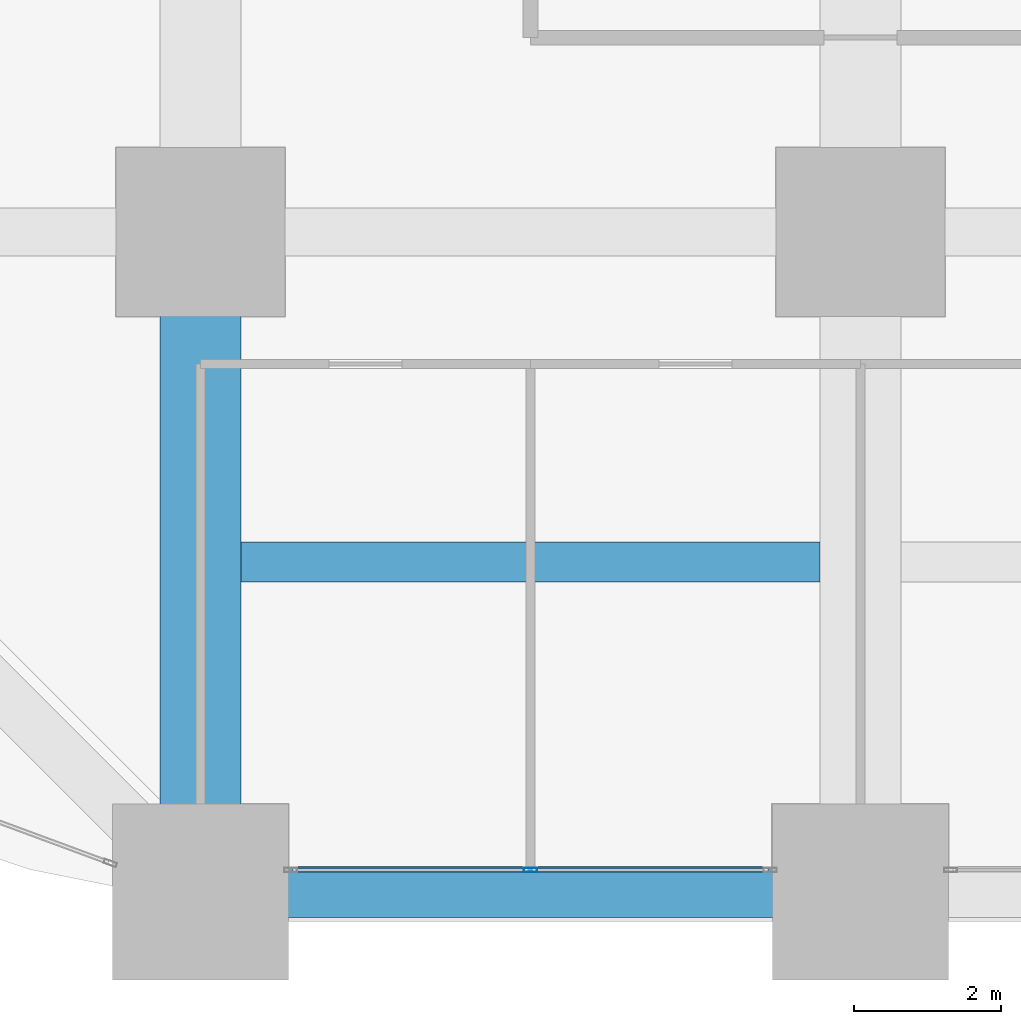
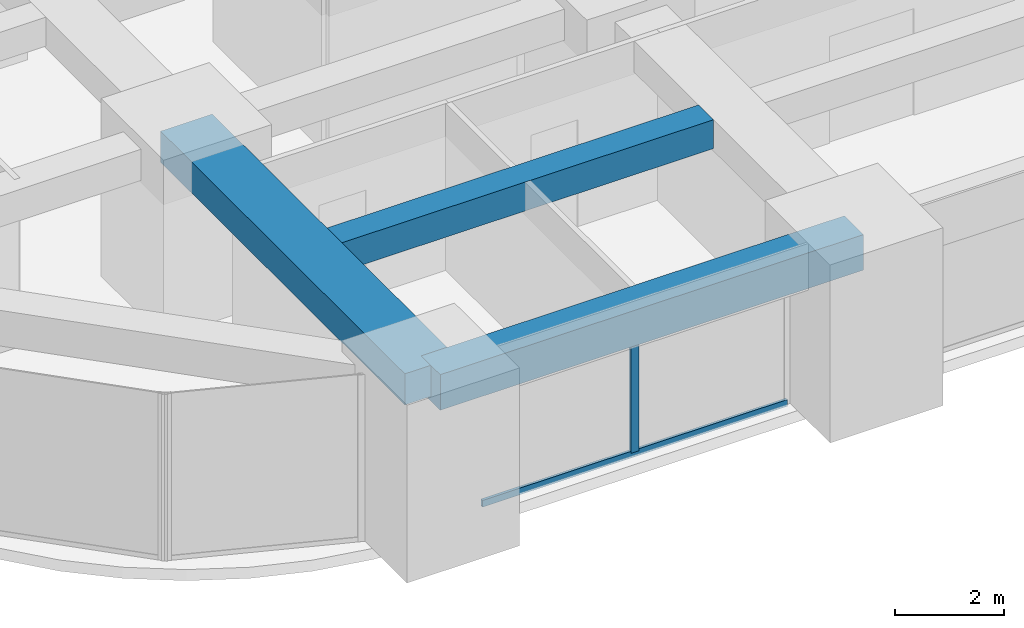
# One storey, part 3 of 44: 3 beams, 2 members, 1 element without a shape of its own.
"""IFC4 building model written with IfcOpenShell, lengths in metres."""

import ifcopenshell
import ifcopenshell.guid

model = None  # the IFC model being written
_history = None  # IfcOwnerHistory: only IFC2X3 demands one
_inside = {}  # id of a spatial element -> (the spatial element, [elements in it])
_under = {}  # id of a project, library or spatial element -> (it, [spatial elements below it])
_declared = {}  # id of a project -> (the project, [libraries it declares])
_typed = {}  # id of a type object -> (the type object, [elements of that type])
_made_of = {}  # id of a material, layer set ... -> (it, [elements and type objects made of it])


def new_model(schema):
    """Start an empty IFC model of exactly this schema.

    Asked for "IFC4X3", IfcOpenShell would pick the latest addendum, in which some entities
    have other attributes; the version numbers below select the first issue.
    IFC2X3 requires an IfcOwnerHistory on every rooted entity: one is made here for all.
    """
    global model, _history
    if schema == "IFC4X3":
        model = ifcopenshell.file(schema_version=(4, 3, 0, 0))
    else:
        model = ifcopenshell.file(schema=schema)
    _inside.clear()
    _under.clear()
    _declared.clear()
    _typed.clear()
    _made_of.clear()
    _history = None
    if model.schema == "IFC2X3":
        org = make("IfcOrganization", Name="unknown")
        user = make(
            "IfcPersonAndOrganization",
            ThePerson=make("IfcPerson", FamilyName="unknown"),
            TheOrganization=org,
        )
        app = make(
            "IfcApplication",
            ApplicationDeveloper=org,
            Version="unknown",
            ApplicationFullName="unknown",
            ApplicationIdentifier="unknown",
        )
        _history = make(
            "IfcOwnerHistory",
            OwningUser=user,
            OwningApplication=app,
            ChangeAction="ADDED",
            CreationDate=0,
        )
    return model


def make(cls, **values):
    """One entity of the class cls with the attributes given. An attribute that is None is left unset."""
    return model.create_entity(
        cls, **{name: value for name, value in values.items() if value is not None}
    )


def rooted(cls, **values):
    """An entity with a GlobalId (a new one), such as an element, a storey or a relation."""
    return make(cls, GlobalId=ifcopenshell.guid.new(), OwnerHistory=_history, **values)


def si_unit(unit_type, name, prefix=None):
    """IfcSIUnit, for example si_unit("LENGTHUNIT", "METRE", prefix="MILLI")."""
    return make("IfcSIUnit", UnitType=unit_type, Prefix=prefix, Name=name)


def assignment(units):
    """IfcUnitAssignment: the units of a project."""
    return None if units is None else make("IfcUnitAssignment", Units=units)


def point(xyz):
    """IfcCartesianPoint."""
    return None if xyz is None else make("IfcCartesianPoint", Coordinates=xyz)


def direction(xyz):
    """IfcDirection."""
    return None if xyz is None else make("IfcDirection", DirectionRatios=xyz)


def frame(location, z_axis=None, x_axis=None):
    """IfcAxis2Placement3D, a coordinate frame: its origin and axes. An axis left out is left unset."""
    return make(
        "IfcAxis2Placement3D",
        Location=point(location),
        Axis=direction(z_axis),
        RefDirection=direction(x_axis),
    )


def frame_2d(location, x_axis=None):
    """IfcAxis2Placement2D, a coordinate frame in the plane: its origin and x axis."""
    return make(
        "IfcAxis2Placement2D", Location=point(location), RefDirection=direction(x_axis)
    )


def origin():
    """The frame at (0, 0, 0) with its axes left unset."""
    return frame((0.0, 0.0, 0.0))


def origin_2d():
    """The frame at (0, 0) in the plane with its x axis left unset."""
    return frame_2d((0.0, 0.0))


def place(relative_to, where):
    """IfcLocalPlacement: puts the frame where relative to a parent placement (None: the world)."""
    return make(
        "IfcLocalPlacement", PlacementRelTo=relative_to, RelativePlacement=where
    )


def context(
    kind, dimensions, precision=None, world=None, true_north=None, identifier=None
):
    """IfcGeometricRepresentationContext, for example the 3D "Model" context."""
    return make(
        "IfcGeometricRepresentationContext",
        ContextIdentifier=identifier,
        ContextType=kind,
        CoordinateSpaceDimension=dimensions,
        Precision=precision,
        WorldCoordinateSystem=world,
        TrueNorth=true_north,
    )


def subcontext(parent, identifier, kind, view, scale=None):
    """IfcGeometricRepresentationSubContext, for example "Body" below "Model"."""
    return make(
        "IfcGeometricRepresentationSubContext",
        ContextIdentifier=identifier,
        ContextType=kind,
        ParentContext=parent,
        TargetScale=scale,
        TargetView=view,
    )


def project(units=None, contexts=None):
    """IfcProject with its units and contexts."""
    return rooted(
        "IfcProject",
        Name="project",
        RepresentationContexts=contexts,
        UnitsInContext=assignment(units),
    )


def spatial(cls, under=None, at=None, **own):
    """A site, building, storey or space (cls), placed at a placement, below another one or the project."""
    s = rooted(cls, ObjectPlacement=at, **own)
    if under is not None:
        _under.setdefault(under.id(), (under, []))[1].append(s)
    return s


def profile(cls, at=None, kind="AREA", **sizes):
    """A parametric profile (cls). Its sizes go by their IFC names, for example OverallWidth=200.0."""
    return make(cls, ProfileType=kind, Position=at, **sizes)


def rectangle(**sizes):
    """IfcRectangleProfileDef."""
    return profile("IfcRectangleProfileDef", **sizes)


def hollow_rectangle(**sizes):
    """IfcRectangleHollowProfileDef."""
    return profile("IfcRectangleHollowProfileDef", **sizes)


def extrude(swept, where, along, depth):
    """IfcExtrudedAreaSolid: the profile swept, set in the frame where, extruded along a direction by depth."""
    return make(
        "IfcExtrudedAreaSolid",
        SweptArea=swept,
        Position=where,
        ExtrudedDirection=direction(along),
        Depth=depth,
    )


def shape(context_of_items, identifier, shape_type, items):
    """IfcShapeRepresentation: the items that make up one representation, for example the "Body"."""
    return make(
        "IfcShapeRepresentation",
        ContextOfItems=context_of_items,
        RepresentationIdentifier=identifier,
        RepresentationType=shape_type,
        Items=items,
    )


def material(Name=None, Category=None):
    """IfcMaterial."""
    return make("IfcMaterial", Name=Name, Category=Category)


def material_profile(
    of_material, cross_section, Name=None, Category=None, Priority=None
):
    """IfcMaterialProfile: a cross section and its material."""
    return make(
        "IfcMaterialProfile",
        Name=Name,
        Material=of_material,
        Profile=cross_section,
        Priority=Priority,
        Category=Category,
    )


def profile_set(profiles, Name=None, composite=None):
    """IfcMaterialProfileSet."""
    return make(
        "IfcMaterialProfileSet",
        Name=Name,
        MaterialProfiles=profiles,
        CompositeProfile=composite,
    )


def made_of(thing, what):
    """Note that an element or type object is made of a material, layer set ...; save() writes the relation."""
    if what is not None:
        _made_of.setdefault(what.id(), (what, []))[1].append(thing)
    return thing


def type_object(cls, material=None, **own):
    """A type object (cls), such as IfcWallType, which elements share."""
    return made_of(rooted(cls, **own), material)


def element(
    cls,
    number,
    at=None,
    inside=None,
    cuts=None,
    type_object=None,
    material=None,
    context=None,
    identifier="Body",
    shape_type=None,
    held_by="IfcProductDefinitionShape",
    body=None,
    shapes=None,
    **own,
):
    """One element of the class cls, such as IfcWall. Its Tag is "e" and its number.

    at: its placement. inside: the storey or other place that contains it. cuts: it is an
    opening in that element (IfcRelVoidsElement). A single representation is given by context,
    identifier, shape_type and body (its items); several are given by shapes. held_by: the class
    of the entity that holds the representations. save() writes the other relations.
    """
    e = rooted(cls, Tag="e%d" % number, ObjectPlacement=at, **own)
    if body is not None:
        shapes = [shape(context, identifier, shape_type, body)]
    if shapes is not None:
        e.Representation = make(held_by, Representations=shapes)
    if inside is not None:
        _inside.setdefault(inside.id(), (inside, []))[1].append(e)
    if cuts is not None:
        rooted(
            "IfcRelVoidsElement", RelatingBuildingElement=cuts, RelatedOpeningElement=e
        )
    if type_object is not None:
        _typed.setdefault(type_object.id(), (type_object, []))[1].append(e)
    return made_of(e, material)


def aggregate(whole, parts):
    """IfcRelAggregates: a whole, such as a stair, and the parts it consists of."""
    return rooted("IfcRelAggregates", RelatingObject=whole, RelatedObjects=parts)


def save(model, path):
    """Write the relations noted so far, then the file.

    IfcRelAggregates (storeys below a building ...), IfcRelContainedInSpatialStructure (elements
    in a storey), IfcRelDefinesByType, IfcRelAssociatesMaterial and IfcRelDeclares: one each for
    every whole, place, type object, material and project.
    """
    for whole, parts in _under.values():
        aggregate(whole, parts)
    for where, things in _inside.values():
        rooted(
            "IfcRelContainedInSpatialStructure",
            RelatedElements=things,
            RelatingStructure=where,
        )
    for kind, things in _typed.values():
        rooted("IfcRelDefinesByType", RelatedObjects=things, RelatingType=kind)
    for what, things in _made_of.values():
        rooted("IfcRelAssociatesMaterial", RelatedObjects=things, RelatingMaterial=what)
    for by, libraries in _declared.values():
        rooted("IfcRelDeclares", RelatingContext=by, RelatedDefinitions=libraries)
    model.write(path)


model = new_model("IFC4")

# Units and contexts
model_context = context("Model", 3, precision=1e-05, world=origin(), true_north=direction((0.0, 1.0)))
body_context = subcontext(model_context, "Body", "Model", "MODEL_VIEW")
ifc_project = project(units=[si_unit("LENGTHUNIT", "METRE"), si_unit("AREAUNIT", "SQUARE_METRE"), si_unit("VOLUMEUNIT", "CUBIC_METRE"), si_unit("PLANEANGLEUNIT", "RADIAN"), si_unit("MASSUNIT", "GRAM", prefix="KILO")], contexts=[model_context])

# Site, building, storey
site_placement = place(None, origin())
site = spatial("IfcSite", under=ifc_project, at=site_placement, CompositionType="ELEMENT")
building_placement = place(site_placement, origin())
building = spatial("IfcBuilding", under=site, at=building_placement, Name="Zorevar Civic Tower", CompositionType="ELEMENT")
storey_placement = place(building_placement, frame((0.0, 0.0, 35.800048828125)))
storey = spatial("IfcBuildingStorey", under=building, at=storey_placement, Name="L08", CompositionType="ELEMENT", Elevation=35.800048828125)

# Beams
ifc_material_1 = material(Name="Concrete C50/60", Category="concrete")
ifc_material_profile_1 = material_profile(ifc_material_1, rectangle(XDim=1.10009765625, YDim=0.699951171875, at=origin_2d()), Name="RC 1100x700")
ifc_profile_set_1 = profile_set([ifc_material_profile_1], Name="Concrete C50/60")
beam_type_1 = type_object("IfcBeamType", Name="Beam RC 1100x700", PredefinedType="BEAM", material=ifc_profile_set_1)
beam_1_placement = place(storey_placement, frame((9.0, 0.0, 3.39990234375), z_axis=(0.0, 1.0, 0.0), x_axis=(-1.0, 0.0, 0.0)))
element("IfcBeam", 1, at=beam_1_placement, inside=storey, type_object=beam_type_1, Name="Girder L09", PredefinedType="BEAM", context=body_context, shape_type="SweptSolid", body=[
    extrude(rectangle(XDim=1.10009765625, YDim=0.699951171875, at=origin_2d()), origin(), (0.0, 0.0, 1.0), 9.0),
])
ifc_material_2 = material(Name="Concrete C50/60", Category="concrete")
ifc_material_profile_2 = material_profile(ifc_material_2, rectangle(XDim=0.550048828125, YDim=0.64990234375, at=origin_2d()), Name="RC 550x650")
ifc_profile_set_2 = profile_set([ifc_material_profile_2], Name="Concrete C50/60")
beam_type_2 = type_object("IfcBeamType", Name="Beam RC 550x650", PredefinedType="BEAM", material=ifc_profile_set_2)
beam_2_placement = place(storey_placement, frame((9.550048828125, 4.5, 3.425048828125), z_axis=(1.0, 0.0, 0.0), x_axis=(0.0, 1.0, 0.0)))
element("IfcBeam", 2, at=beam_2_placement, inside=storey, type_object=beam_type_2, Name="Secondary beam L09", PredefinedType="BEAM", context=body_context, shape_type="SweptSolid", body=[
    extrude(rectangle(XDim=0.550048828125, YDim=0.64990234375, at=origin_2d()), origin(), (0.0, 0.0, 1.0), 7.89990234375),
])

# Curtain wall, members
ifc_material_3 = material(Name="Dark grey solar-control glass in black aluminium frame", Category="aluminium")
curtain_wall_type = type_object("IfcCurtainWallType", Name="Curtain wall CW2 low zone", PredefinedType="NOTDEFINED", material=ifc_material_3)
curtain_wall_placement = place(storey_placement, origin())
curtain_wall = element("IfcCurtainWall", 3, at=curtain_wall_placement, inside=storey, type_object=curtain_wall_type, Name="CW2 L08", PredefinedType="NOTDEFINED")
ifc_material_4 = material(Name="Aluminium, black anodised", Category="aluminium")
ifc_material_profile_3 = material_profile(ifc_material_4, hollow_rectangle(XDim=0.06005859375, YDim=0.179931640625, WallThickness=0.00390625, at=origin_2d()), Name="AL 180x60x4")
ifc_profile_set_3 = profile_set([ifc_material_profile_3], Name="Aluminium, black anodised")
member_type_1 = type_object("IfcMemberType", Name="CW2 mullion AL 180x60x4", PredefinedType="MULLION", material=ifc_profile_set_3)
member_1_placement = place(storey_placement, frame((13.5, 0.300048828125, 0.06005859375), z_axis=(0.0, 0.0, 1.0), x_axis=(0.0, 1.0, 0.0)))
member_1 = element("IfcMember", 4, at=member_1_placement, type_object=member_type_1, Name="CW2 mullion 2", PredefinedType="MULLION", context=body_context, shape_type="SweptSolid", body=[
    extrude(hollow_rectangle(XDim=0.06005859375, YDim=0.179931640625, WallThickness=0.00390625, at=origin_2d()), origin(), (0.0, 0.0, 1.0), 2.889892578125),
])
ifc_material_5 = material(Name="Aluminium, black anodised", Category="aluminium")
ifc_material_profile_4 = material_profile(ifc_material_5, hollow_rectangle(XDim=0.06005859375, YDim=0.14990234375, WallThickness=0.00390625, at=origin_2d()), Name="AL 150x60x4")
ifc_profile_set_4 = profile_set([ifc_material_profile_4], Name="Aluminium, black anodised")
member_type_2 = type_object("IfcMemberType", Name="CW2 transom AL 150x60x4", PredefinedType="USERDEFINED", material=ifc_profile_set_4)
member_2_placement = place(storey_placement, frame((10.260009765625, 0.300048828125, 0.030029296875), z_axis=(1.0, 0.0, 0.0), x_axis=(0.0, 1.0, 0.0)))
member_2 = element("IfcMember", 5, at=member_2_placement, type_object=member_type_2, Name="CW2 sill transom", ObjectType="TRANSOM", PredefinedType="USERDEFINED", context=body_context, shape_type="SweptSolid", body=[
    extrude(hollow_rectangle(XDim=0.06005859375, YDim=0.14990234375, WallThickness=0.00390625, at=origin_2d()), origin(), (0.0, 0.0, 1.0), 6.47998046875),
])
aggregate(curtain_wall, [member_1, member_2])

# Beam
ifc_material_6 = material(Name="Concrete C50/60", Category="concrete")
ifc_material_profile_5 = material_profile(ifc_material_6, rectangle(XDim=0.699951171875, YDim=0.800048828125, at=origin_2d()), Name="RC 700x800")
ifc_profile_set_5 = profile_set([ifc_material_profile_5], Name="Concrete C50/60")
beam_type_3 = type_object("IfcBeamType", Name="Edge beam RC 700x800", PredefinedType="SPANDREL", material=ifc_profile_set_5)
beam_3_placement = place(storey_placement, frame((9.0, 0.0, 3.349853515625), z_axis=(1.0, 0.0, 0.0), x_axis=(0.0, 1.0, 0.0)))
element("IfcBeam", 6, at=beam_3_placement, inside=storey, type_object=beam_type_3, Name="Edge beam L09", PredefinedType="SPANDREL", context=body_context, shape_type="SweptSolid", body=[
    extrude(rectangle(XDim=0.699951171875, YDim=0.800048828125, at=origin_2d()), origin(), (0.0, 0.0, 1.0), 9.0),
])

save(model, "model.ifc")
